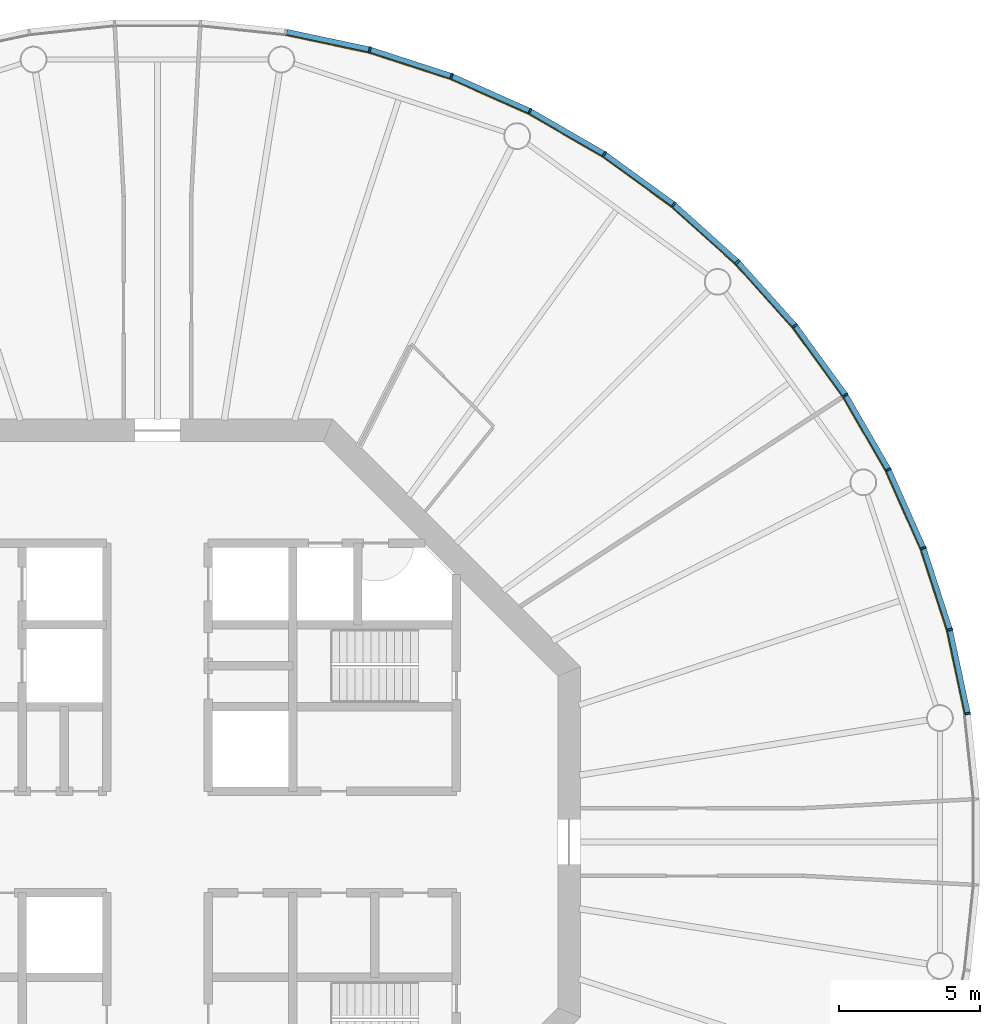
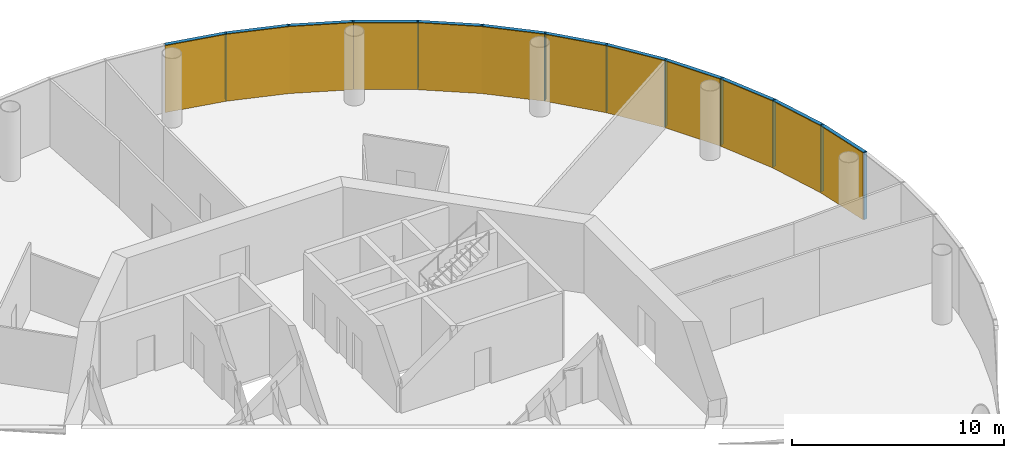
# One storey, part 12 of 13: 24 members, 4 curtain walls.
"""IFC4 building model written with IfcOpenShell, lengths in metres."""

import ifcopenshell
import ifcopenshell.guid

model = None  # the IFC model being written
_history = None  # IfcOwnerHistory: only IFC2X3 demands one
_inside = {}  # id of a spatial element -> (the spatial element, [elements in it])
_under = {}  # id of a project, library or spatial element -> (it, [spatial elements below it])
_declared = {}  # id of a project -> (the project, [libraries it declares])
_typed = {}  # id of a type object -> (the type object, [elements of that type])
_made_of = {}  # id of a material, layer set ... -> (it, [elements and type objects made of it])


def new_model(schema):
    """Start an empty IFC model of exactly this schema.

    Asked for "IFC4X3", IfcOpenShell would pick the latest addendum, in which some entities
    have other attributes; the version numbers below select the first issue.
    IFC2X3 requires an IfcOwnerHistory on every rooted entity: one is made here for all.
    """
    global model, _history
    if schema == "IFC4X3":
        model = ifcopenshell.file(schema_version=(4, 3, 0, 0))
    else:
        model = ifcopenshell.file(schema=schema)
    _inside.clear()
    _under.clear()
    _declared.clear()
    _typed.clear()
    _made_of.clear()
    _history = None
    if model.schema == "IFC2X3":
        org = make("IfcOrganization", Name="unknown")
        user = make(
            "IfcPersonAndOrganization",
            ThePerson=make("IfcPerson", FamilyName="unknown"),
            TheOrganization=org,
        )
        app = make(
            "IfcApplication",
            ApplicationDeveloper=org,
            Version="unknown",
            ApplicationFullName="unknown",
            ApplicationIdentifier="unknown",
        )
        _history = make(
            "IfcOwnerHistory",
            OwningUser=user,
            OwningApplication=app,
            ChangeAction="ADDED",
            CreationDate=0,
        )
    return model


def make(cls, **values):
    """One entity of the class cls with the attributes given. An attribute that is None is left unset."""
    return model.create_entity(
        cls, **{name: value for name, value in values.items() if value is not None}
    )


def rooted(cls, **values):
    """An entity with a GlobalId (a new one), such as an element, a storey or a relation."""
    return make(cls, GlobalId=ifcopenshell.guid.new(), OwnerHistory=_history, **values)


def si_unit(unit_type, name, prefix=None):
    """IfcSIUnit, for example si_unit("LENGTHUNIT", "METRE", prefix="MILLI")."""
    return make("IfcSIUnit", UnitType=unit_type, Prefix=prefix, Name=name)


def assignment(units):
    """IfcUnitAssignment: the units of a project."""
    return None if units is None else make("IfcUnitAssignment", Units=units)


def point(xyz):
    """IfcCartesianPoint."""
    return None if xyz is None else make("IfcCartesianPoint", Coordinates=xyz)


def direction(xyz):
    """IfcDirection."""
    return None if xyz is None else make("IfcDirection", DirectionRatios=xyz)


def frame(location, z_axis=None, x_axis=None):
    """IfcAxis2Placement3D, a coordinate frame: its origin and axes. An axis left out is left unset."""
    return make(
        "IfcAxis2Placement3D",
        Location=point(location),
        Axis=direction(z_axis),
        RefDirection=direction(x_axis),
    )


def frame_2d(location, x_axis=None):
    """IfcAxis2Placement2D, a coordinate frame in the plane: its origin and x axis."""
    return make(
        "IfcAxis2Placement2D", Location=point(location), RefDirection=direction(x_axis)
    )


def origin():
    """The frame at (0, 0, 0) with its axes left unset."""
    return frame((0.0, 0.0, 0.0))


def origin_2d():
    """The frame at (0, 0) in the plane with its x axis left unset."""
    return frame_2d((0.0, 0.0))


def place(relative_to, where):
    """IfcLocalPlacement: puts the frame where relative to a parent placement (None: the world)."""
    return make(
        "IfcLocalPlacement", PlacementRelTo=relative_to, RelativePlacement=where
    )


def context(
    kind, dimensions, precision=None, world=None, true_north=None, identifier=None
):
    """IfcGeometricRepresentationContext, for example the 3D "Model" context."""
    return make(
        "IfcGeometricRepresentationContext",
        ContextIdentifier=identifier,
        ContextType=kind,
        CoordinateSpaceDimension=dimensions,
        Precision=precision,
        WorldCoordinateSystem=world,
        TrueNorth=true_north,
    )


def subcontext(parent, identifier, kind, view, scale=None):
    """IfcGeometricRepresentationSubContext, for example "Body" below "Model"."""
    return make(
        "IfcGeometricRepresentationSubContext",
        ContextIdentifier=identifier,
        ContextType=kind,
        ParentContext=parent,
        TargetScale=scale,
        TargetView=view,
    )


def project(units=None, contexts=None):
    """IfcProject with its units and contexts."""
    return rooted(
        "IfcProject",
        Name="project",
        RepresentationContexts=contexts,
        UnitsInContext=assignment(units),
    )


def spatial(cls, under=None, at=None, **own):
    """A site, building, storey or space (cls), placed at a placement, below another one or the project."""
    s = rooted(cls, ObjectPlacement=at, **own)
    if under is not None:
        _under.setdefault(under.id(), (under, []))[1].append(s)
    return s


def polyline(points):
    """IfcPolyline through the points."""
    return make("IfcPolyline", Points=[point(p) for p in points])


def profile(cls, at=None, kind="AREA", **sizes):
    """A parametric profile (cls). Its sizes go by their IFC names, for example OverallWidth=200.0."""
    return make(cls, ProfileType=kind, Position=at, **sizes)


def rectangle(**sizes):
    """IfcRectangleProfileDef."""
    return profile("IfcRectangleProfileDef", **sizes)


def outline(outer, holes=None, kind="AREA"):
    """IfcArbitraryClosedProfileDef: a profile drawn as a closed curve; with holes, ...WithVoids."""
    if holes is None:
        return make("IfcArbitraryClosedProfileDef", ProfileType=kind, OuterCurve=outer)
    return make(
        "IfcArbitraryProfileDefWithVoids",
        ProfileType=kind,
        OuterCurve=outer,
        InnerCurves=holes,
    )


def extrude(swept, where, along, depth):
    """IfcExtrudedAreaSolid: the profile swept, set in the frame where, extruded along a direction by depth."""
    return make(
        "IfcExtrudedAreaSolid",
        SweptArea=swept,
        Position=where,
        ExtrudedDirection=direction(along),
        Depth=depth,
    )


def shape(context_of_items, identifier, shape_type, items):
    """IfcShapeRepresentation: the items that make up one representation, for example the "Body"."""
    return make(
        "IfcShapeRepresentation",
        ContextOfItems=context_of_items,
        RepresentationIdentifier=identifier,
        RepresentationType=shape_type,
        Items=items,
    )


def material(Name=None, Category=None):
    """IfcMaterial."""
    return make("IfcMaterial", Name=Name, Category=Category)


def layer(
    of_material, thickness, ventilated=None, Name=None, Category=None, Priority=None
):
    """IfcMaterialLayer: one layer of a wall or slab, of a material (None: an air gap)."""
    return make(
        "IfcMaterialLayer",
        Material=of_material,
        LayerThickness=thickness,
        IsVentilated=ventilated,
        Name=Name,
        Category=Category,
        Priority=Priority,
    )


def layer_set(layers, Name=None):
    """IfcMaterialLayerSet."""
    return make("IfcMaterialLayerSet", MaterialLayers=layers, LayerSetName=Name)


def material_profile(
    of_material, cross_section, Name=None, Category=None, Priority=None
):
    """IfcMaterialProfile: a cross section and its material."""
    return make(
        "IfcMaterialProfile",
        Name=Name,
        Material=of_material,
        Profile=cross_section,
        Priority=Priority,
        Category=Category,
    )


def profile_set(profiles, Name=None, composite=None):
    """IfcMaterialProfileSet."""
    return make(
        "IfcMaterialProfileSet",
        Name=Name,
        MaterialProfiles=profiles,
        CompositeProfile=composite,
    )


def made_of(thing, what):
    """Note that an element or type object is made of a material, layer set ...; save() writes the relation."""
    if what is not None:
        _made_of.setdefault(what.id(), (what, []))[1].append(thing)
    return thing


def type_object(cls, material=None, **own):
    """A type object (cls), such as IfcWallType, which elements share."""
    return made_of(rooted(cls, **own), material)


def element(
    cls,
    number,
    at=None,
    inside=None,
    cuts=None,
    type_object=None,
    material=None,
    context=None,
    identifier="Body",
    shape_type=None,
    held_by="IfcProductDefinitionShape",
    body=None,
    shapes=None,
    **own,
):
    """One element of the class cls, such as IfcWall. Its Tag is "e" and its number.

    at: its placement. inside: the storey or other place that contains it. cuts: it is an
    opening in that element (IfcRelVoidsElement). A single representation is given by context,
    identifier, shape_type and body (its items); several are given by shapes. held_by: the class
    of the entity that holds the representations. save() writes the other relations.
    """
    e = rooted(cls, Tag="e%d" % number, ObjectPlacement=at, **own)
    if body is not None:
        shapes = [shape(context, identifier, shape_type, body)]
    if shapes is not None:
        e.Representation = make(held_by, Representations=shapes)
    if inside is not None:
        _inside.setdefault(inside.id(), (inside, []))[1].append(e)
    if cuts is not None:
        rooted(
            "IfcRelVoidsElement", RelatingBuildingElement=cuts, RelatedOpeningElement=e
        )
    if type_object is not None:
        _typed.setdefault(type_object.id(), (type_object, []))[1].append(e)
    return made_of(e, material)


def aggregate(whole, parts):
    """IfcRelAggregates: a whole, such as a stair, and the parts it consists of."""
    return rooted("IfcRelAggregates", RelatingObject=whole, RelatedObjects=parts)


def save(model, path):
    """Write the relations noted so far, then the file.

    IfcRelAggregates (storeys below a building ...), IfcRelContainedInSpatialStructure (elements
    in a storey), IfcRelDefinesByType, IfcRelAssociatesMaterial and IfcRelDeclares: one each for
    every whole, place, type object, material and project.
    """
    for whole, parts in _under.values():
        aggregate(whole, parts)
    for where, things in _inside.values():
        rooted(
            "IfcRelContainedInSpatialStructure",
            RelatedElements=things,
            RelatingStructure=where,
        )
    for kind, things in _typed.values():
        rooted("IfcRelDefinesByType", RelatedObjects=things, RelatingType=kind)
    for what, things in _made_of.values():
        rooted("IfcRelAssociatesMaterial", RelatedObjects=things, RelatingMaterial=what)
    for by, libraries in _declared.values():
        rooted("IfcRelDeclares", RelatingContext=by, RelatedDefinitions=libraries)
    model.write(path)


model = new_model("IFC4")

# Units and contexts
model_context = context("Model", 3, precision=1e-05, world=origin(), true_north=direction((0.0, 1.0)))
body_context = subcontext(model_context, "Body", "Model", "MODEL_VIEW")
ifc_project = project(units=[si_unit("LENGTHUNIT", "METRE"), si_unit("AREAUNIT", "SQUARE_METRE"), si_unit("VOLUMEUNIT", "CUBIC_METRE"), si_unit("PLANEANGLEUNIT", "RADIAN"), si_unit("MASSUNIT", "GRAM", prefix="KILO")], contexts=[model_context])

# Member
ifc_material_1 = material(Name="Anodised aluminium", Category="aluminium")
ifc_material_profile_1 = material_profile(ifc_material_1, rectangle(XDim=0.06494140625, YDim=0.195068359375, at=origin_2d()), Name="Mullion 65 x 195 mm anodised aluminium")
ifc_profile_set_1 = profile_set([ifc_material_profile_1], Name="Anodised aluminium")
member_type_1 = type_object("IfcMemberType", Name="Mullion 65 x 195 mm anodised aluminium", PredefinedType="MULLION", material=ifc_profile_set_1)
site_placement = place(None, origin())
building_placement = place(site_placement, origin())
storey_placement = place(building_placement, frame((0.0, 0.0, 302.0)))
member_1_placement = place(storey_placement, frame((118.7392578125, 84.5517578125, 0.0), z_axis=(0.0, 0.0, 1.0), x_axis=(-0.15643446504, 0.987688340595, 0.0)))
member_1 = element("IfcMember", 1, at=member_1_placement, type_object=member_type_1, Name="MULLION L69-00", PredefinedType="MULLION", context=body_context, shape_type="SweptSolid", body=[
    extrude(rectangle(XDim=0.06494140625, YDim=0.195068359375, at=origin_2d()), origin(), (0.0, 0.0, 1.0), 3.85009765625),
])

member_2_placement = place(storey_placement, frame((118.10595703125, 87.531005859375, 0.0), z_axis=(0.0, 0.0, 1.0), x_axis=(-0.258819045103, 0.965925826289, 0.0)))
member_2 = element("IfcMember", 2, at=member_2_placement, type_object=member_type_1, Name="MULLION L69-01", PredefinedType="MULLION", context=body_context, shape_type="SweptSolid", body=[
    extrude(rectangle(XDim=0.06494140625, YDim=0.195068359375, at=origin_2d()), origin(), (0.0, 0.0, 1.0), 3.85009765625),
])

member_3_placement = place(storey_placement, frame((117.164794921875, 90.427490234375, 0.0), z_axis=(0.0, 0.0, 1.0), x_axis=(-0.358367949545, 0.933580426497, 0.0)))
member_3 = element("IfcMember", 3, at=member_3_placement, type_object=member_type_1, Name="MULLION L69-02", PredefinedType="MULLION", context=body_context, shape_type="SweptSolid", body=[
    extrude(rectangle(XDim=0.06494140625, YDim=0.195068359375, at=origin_2d()), origin(), (0.0, 0.0, 1.0), 3.85009765625),
])

member_4_placement = place(storey_placement, frame((115.926025390625, 93.2099609375, 0.0), z_axis=(0.0, 0.0, 1.0), x_axis=(-0.45399049974, 0.891006524188, 0.0)))
member_4 = element("IfcMember", 4, at=member_4_placement, type_object=member_type_1, Name="MULLION L69-03", PredefinedType="MULLION", context=body_context, shape_type="SweptSolid", body=[
    extrude(rectangle(XDim=0.06494140625, YDim=0.195068359375, at=origin_2d()), origin(), (0.0, 0.0, 1.0), 3.85009765625),
])

member_5_placement = place(storey_placement, frame((114.4033203125, 95.84765625, 0.0), z_axis=(0.0, 0.0, 1.0), x_axis=(-0.544639035015, 0.838670567945, 0.0)))
member_5 = element("IfcMember", 5, at=member_5_placement, type_object=member_type_1, Name="MULLION L69-04", PredefinedType="MULLION", context=body_context, shape_type="SweptSolid", body=[
    extrude(rectangle(XDim=0.06494140625, YDim=0.195068359375, at=origin_2d()), origin(), (0.0, 0.0, 1.0), 3.85009765625),
])

member_6_placement = place(storey_placement, frame((112.613037109375, 98.311767578125, 0.0), z_axis=(0.0, 0.0, 1.0), x_axis=(-0.62932039105, 0.777145961457, 0.0)))
member_6 = element("IfcMember", 6, at=member_6_placement, type_object=member_type_1, Name="MULLION L69-05", PredefinedType="MULLION", context=body_context, shape_type="SweptSolid", body=[
    extrude(rectangle(XDim=0.06494140625, YDim=0.195068359375, at=origin_2d()), origin(), (0.0, 0.0, 1.0), 3.85009765625),
])

member_7_placement = place(storey_placement, frame((110.574951171875, 100.574951171875, 0.0), z_axis=(0.0, 0.0, 1.0), x_axis=(-0.707106781187, 0.707106781187, 0.0)))
member_7 = element("IfcMember", 7, at=member_7_placement, type_object=member_type_1, Name="MULLION L69-06", PredefinedType="MULLION", context=body_context, shape_type="SweptSolid", body=[
    extrude(rectangle(XDim=0.06494140625, YDim=0.195068359375, at=origin_2d()), origin(), (0.0, 0.0, 1.0), 3.85009765625),
])

member_8_placement = place(storey_placement, frame((108.311767578125, 102.613037109375, 0.0), z_axis=(0.0, 0.0, 1.0), x_axis=(-0.777145961457, 0.62932039105, 0.0)))
member_8 = element("IfcMember", 8, at=member_8_placement, type_object=member_type_1, Name="MULLION L69-07", PredefinedType="MULLION", context=body_context, shape_type="SweptSolid", body=[
    extrude(rectangle(XDim=0.06494140625, YDim=0.195068359375, at=origin_2d()), origin(), (0.0, 0.0, 1.0), 3.85009765625),
])

member_9_placement = place(storey_placement, frame((105.84765625, 104.4033203125, 0.0), z_axis=(0.0, 0.0, 1.0), x_axis=(-0.838670567945, 0.544639035015, 0.0)))
member_9 = element("IfcMember", 9, at=member_9_placement, type_object=member_type_1, Name="MULLION L69-08", PredefinedType="MULLION", context=body_context, shape_type="SweptSolid", body=[
    extrude(rectangle(XDim=0.06494140625, YDim=0.195068359375, at=origin_2d()), origin(), (0.0, 0.0, 1.0), 3.85009765625),
])

member_10_placement = place(storey_placement, frame((103.2099609375, 105.926025390625, 0.0), z_axis=(0.0, 0.0, 1.0), x_axis=(-0.891006524188, 0.45399049974, 0.0)))
member_10 = element("IfcMember", 10, at=member_10_placement, type_object=member_type_1, Name="MULLION L69-09", PredefinedType="MULLION", context=body_context, shape_type="SweptSolid", body=[
    extrude(rectangle(XDim=0.06494140625, YDim=0.195068359375, at=origin_2d()), origin(), (0.0, 0.0, 1.0), 3.85009765625),
])

member_11_placement = place(storey_placement, frame((100.427490234375, 107.164794921875, 0.0), z_axis=(0.0, 0.0, 1.0), x_axis=(-0.933580426497, 0.358367949545, 0.0)))
member_11 = element("IfcMember", 11, at=member_11_placement, type_object=member_type_1, Name="MULLION L69-10", PredefinedType="MULLION", context=body_context, shape_type="SweptSolid", body=[
    extrude(rectangle(XDim=0.06494140625, YDim=0.195068359375, at=origin_2d()), origin(), (0.0, 0.0, 1.0), 3.85009765625),
])

member_12_placement = place(storey_placement, frame((97.531005859375, 108.10595703125, 0.0), z_axis=(0.0, 0.0, 1.0), x_axis=(-0.965925826289, 0.258819045103, 0.0)))
member_12 = element("IfcMember", 12, at=member_12_placement, type_object=member_type_1, Name="MULLION L69-11", PredefinedType="MULLION", context=body_context, shape_type="SweptSolid", body=[
    extrude(rectangle(XDim=0.06494140625, YDim=0.195068359375, at=origin_2d()), origin(), (0.0, 0.0, 1.0), 3.85009765625),
])

ifc_material_2 = material(Name="Anodised aluminium", Category="aluminium")
ifc_material_profile_2 = material_profile(ifc_material_2, rectangle(XDim=0.195068359375, YDim=0.179931640625, at=origin_2d()), Name="Transom 180 x 195 mm anodised aluminium")
ifc_profile_set_2 = profile_set([ifc_material_profile_2], Name="Anodised aluminium")
member_type_2 = type_object("IfcMemberType", Name="Transom 180 x 195 mm anodised aluminium", PredefinedType="USERDEFINED", material=ifc_profile_set_2)
member_13_placement = place(storey_placement, frame((118.731689453125, 84.588623046875, 3.760009765625), z_axis=(-0.207940342877, 0.978141510112, 0.0), x_axis=(-0.978141510112, -0.207940342877, 0.0)))
member_13 = element("IfcMember", 13, at=member_13_placement, type_object=member_type_2, Name="TRANSOM L69-00", ObjectType="TRANSOM", PredefinedType="USERDEFINED", context=body_context, shape_type="SweptSolid", body=[
    extrude(rectangle(XDim=0.195068359375, YDim=0.179931640625, at=origin_2d()), origin(), (0.0, 0.0, 1.0), 2.970458984375),
])

member_14_placement = place(storey_placement, frame((118.094482421875, 87.56689453125, 3.760009765625), z_axis=(-0.309043326415, 0.951047960094, 0.0), x_axis=(-0.951047960094, -0.309043326415, 0.0)))
member_14 = element("IfcMember", 14, at=member_14_placement, type_object=member_type_2, Name="TRANSOM L69-01", ObjectType="TRANSOM", PredefinedType="USERDEFINED", context=body_context, shape_type="SweptSolid", body=[
    extrude(rectangle(XDim=0.195068359375, YDim=0.179931640625, at=origin_2d()), origin(), (0.0, 0.0, 1.0), 2.970458984375),
])

member_15_placement = place(storey_placement, frame((117.149658203125, 90.4619140625, 3.760009765625), z_axis=(-0.406725527369, 0.913550406593, 0.0), x_axis=(-0.913550406593, -0.406725527369, 0.0)))
member_15 = element("IfcMember", 15, at=member_15_placement, type_object=member_type_2, Name="TRANSOM L69-02", ObjectType="TRANSOM", PredefinedType="USERDEFINED", context=body_context, shape_type="SweptSolid", body=[
    extrude(rectangle(XDim=0.195068359375, YDim=0.179931640625, at=origin_2d()), origin(), (0.0, 0.0, 1.0), 2.970703125),
])

member_16_placement = place(storey_placement, frame((115.907470703125, 93.24267578125, 3.760009765625), z_axis=(-0.500028367561, 0.866009025146, 0.0), x_axis=(-0.866009025146, -0.500028367561, 0.0)))
member_16 = element("IfcMember", 16, at=member_16_placement, type_object=member_type_2, Name="TRANSOM L69-03", ObjectType="TRANSOM", PredefinedType="USERDEFINED", context=body_context, shape_type="SweptSolid", body=[
    extrude(rectangle(XDim=0.195068359375, YDim=0.179931640625, at=origin_2d()), origin(), (0.0, 0.0, 1.0), 2.970458984375),
])

member_17_placement = place(storey_placement, frame((114.381103515625, 95.878173828125, 3.760009765625), z_axis=(-0.587765987476, 0.809030990733, 0.0), x_axis=(-0.809030990733, -0.587765987476, 0.0)))
member_17 = element("IfcMember", 17, at=member_17_placement, type_object=member_type_2, Name="TRANSOM L69-04", ObjectType="TRANSOM", PredefinedType="USERDEFINED", context=body_context, shape_type="SweptSolid", body=[
    extrude(rectangle(XDim=0.195068359375, YDim=0.179931640625, at=origin_2d()), origin(), (0.0, 0.0, 1.0), 2.97021484375),
])

member_18_placement = place(storey_placement, frame((112.587890625, 98.339599609375, 3.760009765625), z_axis=(-0.669110027395, 0.743163354343, 0.0), x_axis=(-0.743163354343, -0.669110027395, 0.0)))
member_18 = element("IfcMember", 18, at=member_18_placement, type_object=member_type_2, Name="TRANSOM L69-05", ObjectType="TRANSOM", PredefinedType="USERDEFINED", context=body_context, shape_type="SweptSolid", body=[
    extrude(rectangle(XDim=0.195068359375, YDim=0.179931640625, at=origin_2d()), origin(), (0.0, 0.0, 1.0), 2.970458984375),
])

member_19_placement = place(storey_placement, frame((110.547119140625, 100.600341796875, 3.760009765625), z_axis=(-0.743163354343, 0.669110027395, 0.0), x_axis=(-0.669110027395, -0.743163354343, 0.0)))
member_19 = element("IfcMember", 19, at=member_19_placement, type_object=member_type_2, Name="TRANSOM L69-06", ObjectType="TRANSOM", PredefinedType="USERDEFINED", context=body_context, shape_type="SweptSolid", body=[
    extrude(rectangle(XDim=0.195068359375, YDim=0.179931640625, at=origin_2d()), origin(), (0.0, 0.0, 1.0), 2.970458984375),
])

member_20_placement = place(storey_placement, frame((108.28125, 102.63525390625, 3.760009765625), z_axis=(-0.809030990733, 0.587765987476, 0.0), x_axis=(-0.587765987476, -0.809030990733, 0.0)))
member_20 = element("IfcMember", 20, at=member_20_placement, type_object=member_type_2, Name="TRANSOM L69-07", ObjectType="TRANSOM", PredefinedType="USERDEFINED", context=body_context, shape_type="SweptSolid", body=[
    extrude(rectangle(XDim=0.195068359375, YDim=0.179931640625, at=origin_2d()), origin(), (0.0, 0.0, 1.0), 2.97021484375),
])

member_21_placement = place(storey_placement, frame((105.815185546875, 104.422119140625, 3.760009765625), z_axis=(-0.866009025146, 0.500028367561, 0.0), x_axis=(-0.500028367561, -0.866009025146, 0.0)))
member_21 = element("IfcMember", 21, at=member_21_placement, type_object=member_type_2, Name="TRANSOM L69-08", ObjectType="TRANSOM", PredefinedType="USERDEFINED", context=body_context, shape_type="SweptSolid", body=[
    extrude(rectangle(XDim=0.195068359375, YDim=0.179931640625, at=origin_2d()), origin(), (0.0, 0.0, 1.0), 2.970458984375),
])

member_22_placement = place(storey_placement, frame((103.17578125, 105.94140625, 3.760009765625), z_axis=(-0.913550406593, 0.406725527369, 0.0), x_axis=(-0.406725527369, -0.913550406593, 0.0)))
member_22 = element("IfcMember", 22, at=member_22_placement, type_object=member_type_2, Name="TRANSOM L69-09", ObjectType="TRANSOM", PredefinedType="USERDEFINED", context=body_context, shape_type="SweptSolid", body=[
    extrude(rectangle(XDim=0.195068359375, YDim=0.179931640625, at=origin_2d()), origin(), (0.0, 0.0, 1.0), 2.970703125),
])

member_23_placement = place(storey_placement, frame((100.391845703125, 107.176513671875, 3.760009765625), z_axis=(-0.951047960094, 0.309043326415, 0.0), x_axis=(-0.309043326415, -0.951047960094, 0.0)))
member_23 = element("IfcMember", 23, at=member_23_placement, type_object=member_type_2, Name="TRANSOM L69-10", ObjectType="TRANSOM", PredefinedType="USERDEFINED", context=body_context, shape_type="SweptSolid", body=[
    extrude(rectangle(XDim=0.195068359375, YDim=0.179931640625, at=origin_2d()), origin(), (0.0, 0.0, 1.0), 2.970458984375),
])

member_24_placement = place(storey_placement, frame((97.494140625, 108.114013671875, 3.760009765625), z_axis=(-0.978141510112, 0.207940342877, 0.0), x_axis=(-0.207940342877, -0.978141510112, 0.0)))
member_24 = element("IfcMember", 24, at=member_24_placement, type_object=member_type_2, Name="TRANSOM L69-11", ObjectType="TRANSOM", PredefinedType="USERDEFINED", context=body_context, shape_type="SweptSolid", body=[
    extrude(rectangle(XDim=0.195068359375, YDim=0.179931640625, at=origin_2d()), origin(), (0.0, 0.0, 1.0), 2.970458984375),
])

# Site, building, storey
site = spatial("IfcSite", under=ifc_project, at=site_placement, CompositionType="ELEMENT")
building = spatial("IfcBuilding", under=site, at=building_placement, Name="Entoto Ring Tower", CompositionType="ELEMENT")
storey = spatial("IfcBuildingStorey", under=building, at=storey_placement, Name="L69", CompositionType="ELEMENT", Elevation=302.0)

# Curtain wall
ifc_material_3 = material(Name="Clear low-iron glass", Category="glass")
ifc_layer = layer(ifc_material_3, 0.033935546875)
ifc_layer_set = layer_set([ifc_layer], Name="Clear low-iron glass")
curtain_wall_type = type_object("IfcCurtainWallType", Name="Curtain wall system CW5 glazing 34 mm", PredefinedType="NOTDEFINED", material=ifc_layer_set)
curtain_wall_1_placement = place(storey_placement, origin())
curtain_wall_1 = element("IfcCurtainWall", 25, at=curtain_wall_1_placement, inside=storey, type_object=curtain_wall_type, Name="CW5 L69-01", PredefinedType="NOTDEFINED", context=body_context, shape_type="SweptSolid", body=[
    extrude(outline(polyline([(118.64306640625, 84.53662109375), (118.011962890625, 87.505859375), (117.07373046875, 90.392578125), (115.839111328125, 93.165771484375), (115.808837890625, 93.150146484375), (117.0419921875, 90.38037109375), (117.97900390625, 87.496826171875), (118.609375, 84.53125), (118.64306640625, 84.53662109375)])), origin(), (0.0, 0.0, 1.0), 3.85009765625),
])

aggregate(curtain_wall_1, [member_1, member_2, member_3, member_13, member_14, member_15])

curtain_wall_2_placement = place(storey_placement, origin())
curtain_wall_2 = element("IfcCurtainWall", 26, at=curtain_wall_2_placement, inside=storey, type_object=curtain_wall_type, Name="CW5 L69-02", PredefinedType="NOTDEFINED", context=body_context, shape_type="SweptSolid", body=[
    extrude(outline(polyline([(115.839111328125, 93.165771484375), (114.321533203125, 95.79443359375), (112.537353515625, 98.250244140625), (110.506103515625, 100.506103515625), (110.48193359375, 100.48193359375), (112.5107421875, 98.228759765625), (114.29296875, 95.77587890625), (115.808837890625, 93.150146484375), (115.839111328125, 93.165771484375)])), origin(), (0.0, 0.0, 1.0), 3.85009765625),
])

aggregate(curtain_wall_2, [member_4, member_5, member_6, member_16, member_17, member_18])

curtain_wall_3_placement = place(storey_placement, origin())
curtain_wall_3 = element("IfcCurtainWall", 27, at=curtain_wall_3_placement, inside=storey, type_object=curtain_wall_type, Name="CW5 L69-03", PredefinedType="NOTDEFINED", context=body_context, shape_type="SweptSolid", body=[
    extrude(outline(polyline([(110.506103515625, 100.506103515625), (108.250244140625, 102.537353515625), (105.79443359375, 104.321533203125), (103.165771484375, 105.839111328125), (103.150146484375, 105.808837890625), (105.77587890625, 104.29296875), (108.228759765625, 102.5107421875), (110.48193359375, 100.48193359375), (110.506103515625, 100.506103515625)])), origin(), (0.0, 0.0, 1.0), 3.85009765625),
])

aggregate(curtain_wall_3, [member_7, member_8, member_9, member_19, member_20, member_21])

curtain_wall_4_placement = place(storey_placement, origin())
curtain_wall_4 = element("IfcCurtainWall", 28, at=curtain_wall_4_placement, inside=storey, type_object=curtain_wall_type, Name="CW5 L69-04", PredefinedType="NOTDEFINED", context=body_context, shape_type="SweptSolid", body=[
    extrude(outline(polyline([(103.165771484375, 105.839111328125), (100.392578125, 107.07373046875), (97.505859375, 108.011962890625), (94.53662109375, 108.64306640625), (94.53125, 108.609375), (97.496826171875, 107.97900390625), (100.38037109375, 107.0419921875), (103.150146484375, 105.808837890625), (103.165771484375, 105.839111328125)])), origin(), (0.0, 0.0, 1.0), 3.85009765625),
])

aggregate(curtain_wall_4, [member_10, member_11, member_12, member_22, member_23, member_24])

save(model, "model.ifc")
